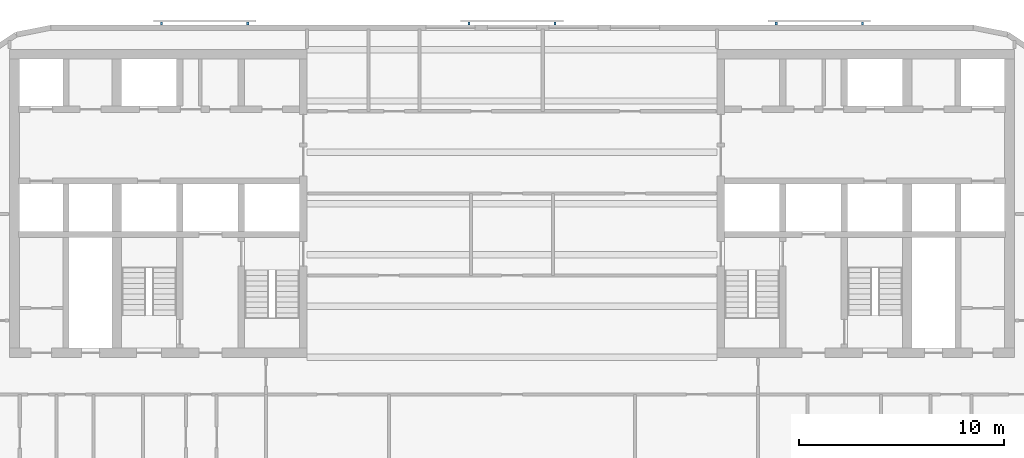
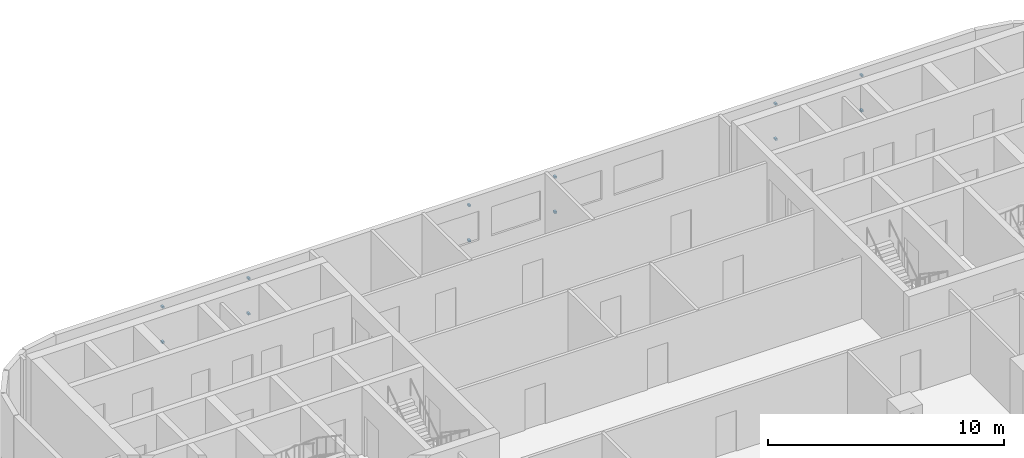
# One storey, part 8 of 11: 12 discrete accessories.
"""IFC4 building model written with IfcOpenShell, lengths in metres."""

from ifc_helpers import new_model, si_unit, direction, frame, origin, origin_2d, place, context, subcontext, project, spatial, rectangle, extrude, material, type_object, element, save


model = new_model("IFC4")

# Units and contexts
model_context = context("Model", 3, precision=1e-05, world=origin(), true_north=direction((0.0, 1.0)))
body_context = subcontext(model_context, "Body", "Model", "MODEL_VIEW")
ifc_project = project(units=[si_unit("LENGTHUNIT", "METRE"), si_unit("AREAUNIT", "SQUARE_METRE"), si_unit("VOLUMEUNIT", "CUBIC_METRE"), si_unit("PLANEANGLEUNIT", "RADIAN"), si_unit("MASSUNIT", "GRAM", prefix="KILO")], contexts=[model_context])

# Site, building, storey
site_placement = place(None, origin())
site = spatial("IfcSite", under=ifc_project, at=site_placement, CompositionType="ELEMENT")
building_placement = place(site_placement, origin())
building = spatial("IfcBuilding", under=site, at=building_placement, Name="Torana Hotel and Residences", CompositionType="ELEMENT")
storey_placement = place(building_placement, frame((0.0, 0.0, 222.10009765625)))
storey = spatial("IfcBuildingStorey", under=building, at=storey_placement, Name="L58", CompositionType="ELEMENT", Elevation=222.10009765625)

# Discrete accessories
ifc_material = material(Name="Steel S355", Category="steel")
discrete_accessory_type = type_object("IfcDiscreteAccessoryType", Name="SCREEN BRACKET 100", PredefinedType="BRACKET", material=ifc_material)
for number, where, z_axis, x_axis, name in (
    (1, (17.08349609375, 1.27490234375, 0.749755859375), (0.0, 0.0, 1.0), (-1.0, 0.0, 0.0), "Screen bracket L58"),
    (2, (17.08349609375, 1.27490234375, 2.56982421875), (0.0, 0.0, 1.0), (-1.0, 0.0, 0.0), "Screen bracket L58"),
    (3, (12.883544921875, 1.27490234375, 0.749755859375), (0.0, 0.0, 1.0), (-1.0, 0.0, 0.0), "Screen bracket L58"),
    (4, (12.883544921875, 1.27490234375, 2.56982421875), (0.0, 0.0, 1.0), (-1.0, 0.0, 0.0), "Screen bracket L58"),
    (5, (2.10009765625, 1.27490234375, 0.749755859375), (0.0, 0.0, 1.0), (-1.0, 0.0, 0.0), "Screen bracket L58"),
    (6, (2.10009765625, 1.27490234375, 2.56982421875), (0.0, 0.0, 1.0), (-1.0, 0.0, 0.0), "Screen bracket L58"),
    (7, (-2.10009765625, 1.27490234375, 0.749755859375), (0.0, 0.0, 1.0), (-1.0, 0.0, 0.0), "Screen bracket L58"),
    (8, (-2.10009765625, 1.27490234375, 2.56982421875), (0.0, 0.0, 1.0), (-1.0, 0.0, 0.0), "Screen bracket L58"),
    (9, (-12.883544921875, 1.27490234375, 0.749755859375), (0.0, 0.0, 1.0), (-1.0, 0.0, 0.0), "Screen bracket L58"),
    (10, (-12.883544921875, 1.27490234375, 2.56982421875), (0.0, 0.0, 1.0), (-1.0, 0.0, 0.0), "Screen bracket L58"),
    (11, (-17.08349609375, 1.27490234375, 0.749755859375), (0.0, 0.0, 1.0), (-1.0, 0.0, 0.0), "Screen bracket L58"),
    (12, (-17.08349609375, 1.27490234375, 2.56982421875), (0.0, 0.0, 1.0), (-1.0, 0.0, 0.0), "Screen bracket L58"),
):
    element("IfcDiscreteAccessory", number, at=place(storey_placement, frame(where, z_axis=z_axis, x_axis=x_axis)), inside=storey, type_object=discrete_accessory_type, Name=name, PredefinedType="BRACKET", context=body_context, shape_type="SweptSolid", body=[
        extrude(rectangle(XDim=0.10009765625, YDim=0.14990234375, at=origin_2d()), origin(), (0.0, 0.0, 1.0), 0.10009765625),
    ])

save(model, "model.ifc")
